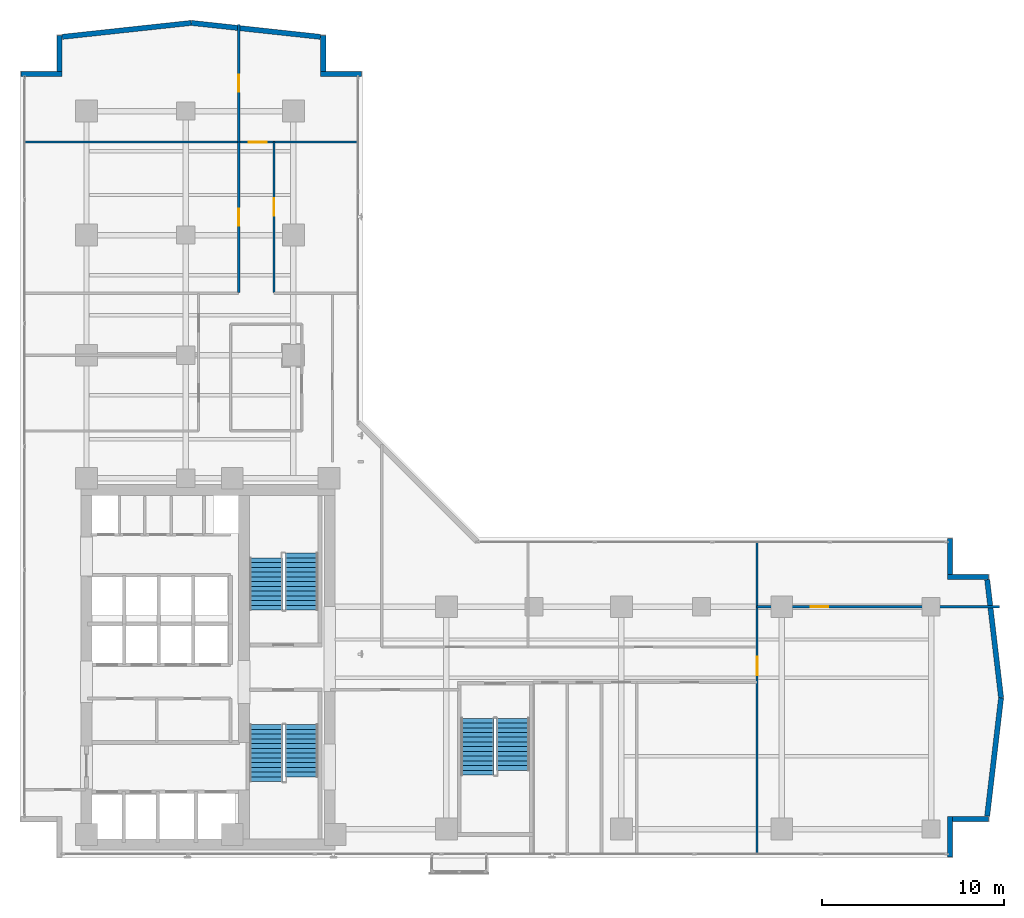
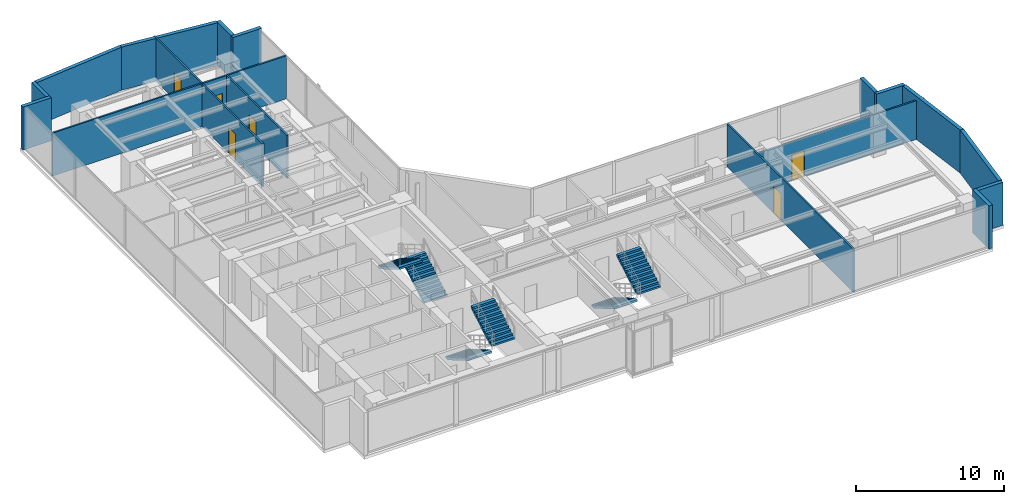
# One storey, part 21 of 24: 18 walls, 6 doors, 6 stair flights, 6 openings, 3 elements without a shape of their own.
"""IFC4 building model written with IfcOpenShell, lengths in metres."""

from ifc_helpers import new_model, si_unit, direction, frame, frame_2d, origin, place, context, subcontext, project, spatial, polyline, rectangle, outline, extrude, material, layer, layer_set, type_object, element, fill, aggregate, save


model = new_model("IFC4")

# Units and contexts
model_context = context("Model", 3, precision=1e-05, world=origin(), true_north=direction((0.0, 1.0)))
body_context = subcontext(model_context, "Body", "Model", "MODEL_VIEW")
ifc_project = project(units=[si_unit("LENGTHUNIT", "METRE"), si_unit("AREAUNIT", "SQUARE_METRE"), si_unit("VOLUMEUNIT", "CUBIC_METRE"), si_unit("PLANEANGLEUNIT", "RADIAN"), si_unit("MASSUNIT", "GRAM", prefix="KILO")], contexts=[model_context])

# Site, building, storey
site_placement = place(None, origin())
site = spatial("IfcSite", under=ifc_project, at=site_placement, CompositionType="ELEMENT")
building_placement = place(site_placement, origin())
building = spatial("IfcBuilding", under=site, at=building_placement, Name="Kolvaren Waterfront Exchange", CompositionType="ELEMENT")
storey_placement = place(building_placement, frame((0.0, 0.0, 169.0)))
storey = spatial("IfcBuildingStorey", under=building, at=storey_placement, Name="L43", CompositionType="ELEMENT", Elevation=169.0)

# Walls
ifc_material_1 = material(Name="Precast concrete C40/50", Category="concrete")
ifc_layer_1 = layer(ifc_material_1, 0.280029296875, Name="Precast concrete C40/50")
ifc_layer_set_1 = layer_set([ifc_layer_1], Name="Precast concrete C40/50")
wall_type_1 = type_object("IfcWallType", Name="ARC-EXT-TERR-280", PredefinedType="SOLIDWALL", material=ifc_layer_set_1)
wall_1_placement = place(storey_placement, frame((54.840087890625, 3.659912109375, 0.0), z_axis=(0.0, 0.0, 1.0), x_axis=(0.0, 1.0, 0.0)))
element("IfcWall", 1, at=wall_1_placement, inside=storey, type_object=wall_type_1, Name="L43 notched corner spandrel pier SE-A", PredefinedType="SOLIDWALL", context=body_context, shape_type="SweptSolid", body=[
    extrude(rectangle(XDim=2.239990234375, YDim=0.280029296875, at=frame_2d((1.1201171875, 0.0))), origin(), (0.0, 0.0, 1.0), 3.56005859375),
])
wall_2_placement = place(storey_placement, frame((54.97998046875, 5.760009765625, 0.0), z_axis=(0.0, 0.0, 1.0), x_axis=(1.0, 0.0, 0.0)))
element("IfcWall", 2, at=wall_2_placement, inside=storey, type_object=wall_type_1, Name="L43 notched corner spandrel pier SE-B", PredefinedType="SOLIDWALL", context=body_context, shape_type="SweptSolid", body=[
    extrude(rectangle(XDim=1.9599609375, YDim=0.280029296875, at=frame_2d((0.97998046875, 0.0))), origin(), (0.0, 0.0, 1.0), 3.56005859375),
])
wall_3_placement = place(storey_placement, frame((54.840087890625, 19.1650390625, 0.0), z_axis=(0.0, 0.0, 1.0), x_axis=(0.0, 1.0, 0.0)))
element("IfcWall", 3, at=wall_3_placement, inside=storey, type_object=wall_type_1, Name="L43 notched corner spandrel pier ENE-A", PredefinedType="SOLIDWALL", context=body_context, shape_type="SweptSolid", body=[
    extrude(rectangle(XDim=1.974853515625, YDim=0.280029296875, at=frame_2d((0.9873046875, 0.0))), origin(), (0.0, 0.0, 1.0), 3.56005859375),
])
for number, where, z_axis, x_axis, name in (
    (4, (54.699951171875, 19.0400390625, 0.0), (0.0, 0.0, 1.0), (1.0, 0.0, 0.0), "L43 notched corner spandrel pier ENE-B"),
    (5, (20.300048828125, 46.639892578125, 0.0), (0.0, 0.0, 1.0), (1.0, 0.0, 0.0), "L43 notched corner spandrel pier NNE-A"),
):
    element("IfcWall", number, at=place(storey_placement, frame(where, z_axis=z_axis, x_axis=x_axis)), inside=storey, type_object=wall_type_1, Name=name, PredefinedType="SOLIDWALL", context=body_context, shape_type="SweptSolid", body=[
        extrude(rectangle(XDim=2.239990234375, YDim=0.280029296875, at=frame_2d((1.1201171875, 0.0))), origin(), (0.0, 0.0, 1.0), 3.56005859375),
    ])
wall_4_placement = place(storey_placement, frame((20.43994140625, 46.780029296875, 0.0), z_axis=(0.0, 0.0, 1.0), x_axis=(0.0, 1.0, 0.0)))
element("IfcWall", 6, at=wall_4_placement, inside=storey, type_object=wall_type_1, Name="L43 notched corner spandrel pier NNE-B", PredefinedType="SOLIDWALL", context=body_context, shape_type="SweptSolid", body=[
    extrude(rectangle(XDim=1.9599609375, YDim=0.280029296875, at=frame_2d((0.97998046875, 0.0))), origin(), (0.0, 0.0, 1.0), 3.56005859375),
])
wall_5_placement = place(storey_placement, frame((3.860107421875, 46.639892578125, 0.0), z_axis=(0.0, 0.0, 1.0), x_axis=(1.0, 0.0, 0.0)))
element("IfcWall", 7, at=wall_5_placement, inside=storey, type_object=wall_type_1, Name="L43 notched corner spandrel pier NW-A", PredefinedType="SOLIDWALL", context=body_context, shape_type="SweptSolid", body=[
    extrude(rectangle(XDim=2.239990234375, YDim=0.280029296875, at=frame_2d((1.1201171875, 0.0))), origin(), (0.0, 0.0, 1.0), 3.56005859375),
])
wall_6_placement = place(storey_placement, frame((5.9599609375, 46.780029296875, 0.0), z_axis=(0.0, 0.0, 1.0), x_axis=(0.0, 1.0, 0.0)))
element("IfcWall", 8, at=wall_6_placement, inside=storey, type_object=wall_type_1, Name="L43 notched corner spandrel pier NW-B", PredefinedType="SOLIDWALL", context=body_context, shape_type="SweptSolid", body=[
    extrude(rectangle(XDim=1.9599609375, YDim=0.280029296875, at=frame_2d((0.97998046875, 0.0))), origin(), (0.0, 0.0, 1.0), 3.56005859375),
])
for number, where, z_axis, x_axis, name in (
    (9, (56.876220703125, 5.91650390625, 0.0), (0.0, 0.0, 1.0), (0.11685426921, 0.993149072278, 0.0), "L43 east prow faceted facade wall 1"),
    (10, (57.638916015625, 12.401123046875, 0.0), (0.0, 0.0, 1.0), (-0.11685426921, 0.993149072278, 0.0), "L43 east prow faceted facade wall 2"),
):
    element("IfcWall", number, at=place(storey_placement, frame(where, z_axis=z_axis, x_axis=x_axis)), inside=storey, type_object=wall_type_1, Name=name, PredefinedType="SOLIDWALL", context=body_context, shape_type="SweptSolid", body=[
        extrude(rectangle(XDim=6.52685546875, YDim=0.280029296875, at=frame_2d((3.263427734375, 0.0))), origin(), (0.0, 0.0, 1.0), 3.56005859375),
    ])
for number, where, z_axis, x_axis, name in (
    (11, (20.284423828125, 48.673095703125, 0.0), (0.0, 0.0, 1.0), (-0.994206651606, 0.107485505548, 0.0), "L43 north prow faceted facade wall 1"),
    (12, (13.197265625, 49.438720703125, 0.0), (0.0, 0.0, 1.0), (-0.994206651606, -0.107485505548, 0.0), "L43 north prow faceted facade wall 2"),
):
    element("IfcWall", number, at=place(storey_placement, frame(where, z_axis=z_axis, x_axis=x_axis)), inside=storey, type_object=wall_type_1, Name=name, PredefinedType="SOLIDWALL", context=body_context, shape_type="SweptSolid", body=[
        extrude(rectangle(XDim=7.123046875, YDim=0.280029296875, at=frame_2d((3.5615234375, 0.0))), origin(), (0.0, 0.0, 1.0), 3.56005859375),
    ])

# Wall, opening, door
ifc_material_2 = material(Name="Acoustic gypsum steel stud", Category="steel")
ifc_layer_2 = layer(ifc_material_2, 0.125, Name="Acoustic gypsum steel stud")
ifc_layer_set_2 = layer_set([ifc_layer_2], Name="Acoustic gypsum steel stud")
wall_type_2 = type_object("IfcWallType", Name="ARC-PART-125", PredefinedType="PARTITIONING", material=ifc_layer_set_2)
wall_7_placement = place(storey_placement, frame((44.25, 3.840087890625, 0.0), z_axis=(0.0, 0.0, 1.0), x_axis=(0.0, 1.0, 0.0)))
wall_7 = element("IfcWall", 13, at=wall_7_placement, inside=storey, type_object=wall_type_2, Name="L43 interior wall PW-L43-ETIP-W", PredefinedType="PARTITIONING", context=body_context, shape_type="SweptSolid", body=[
    extrude(rectangle(XDim=17.119873046875, YDim=0.125, at=frame_2d((8.56005859375, 0.0))), origin(), (0.0, 0.0, 1.0), 3.56005859375),
])
opening_1_placement = place(wall_7_placement, frame((9.81005859375, 0.0, 0.0)))
opening_1 = element("IfcOpeningElement", 14, at=opening_1_placement, cuts=wall_7, Name="Opening D03", PredefinedType="OPENING", context=body_context, shape_type="SweptSolid", body=[
    extrude(rectangle(XDim=1.0, YDim=2.199951171875, at=frame_2d((0.5, 1.10009765625))), frame((0.0, 0.072509765625, 0.0), z_axis=(0.0, -1.0, 0.0), x_axis=(1.0, 0.0, 0.0)), (0.0, 0.0, 1.0), 0.14501953125),
])
ifc_material_3 = material(Name="Oak veneer accessible timber", Category="wood")
door_type_1 = type_object("IfcDoorType", Name="ARC-DR-1000", OperationType="NOTDEFINED", PredefinedType="DOOR", material=ifc_material_3)
door_1_placement = place(opening_1_placement, origin())
door_1 = element("IfcDoor", 15, at=door_1_placement, inside=storey, type_object=door_type_1, Name="L43 door DR-L43-ETIP1-D (D03)", OperationType="SINGLE_SWING_LEFT", OverallHeight=2.199951171875, OverallWidth=1.0, PredefinedType="DOOR", context=body_context, shape_type="SweptSolid", body=[
    extrude(rectangle(XDim=1.0, YDim=2.199951171875, at=frame_2d((0.5, 1.10009765625))), frame((0.0, 0.02490234375, 0.0), z_axis=(0.0, -1.0, 0.0), x_axis=(1.0, 0.0, 0.0)), (0.0, 0.0, 1.0), 0.050048828125),
])
fill(opening_1, door_1)

wall_8_placement = place(storey_placement, frame((44.25, 17.39990234375, 0.0), z_axis=(0.0, 0.0, 1.0), x_axis=(1.0, 0.0, 0.0)))
wall_8 = element("IfcWall", 16, at=wall_8_placement, inside=storey, type_object=wall_type_2, Name="L43 interior wall PW-L43-ETIP-MID", PredefinedType="PARTITIONING", context=body_context, shape_type="SweptSolid", body=[
    extrude(rectangle(XDim=13.31005859375, YDim=0.125, at=frame_2d((6.655029296875, 0.0))), origin(), (0.0, 0.0, 1.0), 3.199951171875),
])
opening_2_placement = place(wall_8_placement, frame((2.949951171875, 0.0, 0.0)))
opening_2 = element("IfcOpeningElement", 17, at=opening_2_placement, cuts=wall_8, Name="Opening D02", PredefinedType="OPENING", context=body_context, shape_type="SweptSolid", body=[
    extrude(rectangle(XDim=0.949951171875, YDim=2.14990234375, at=frame_2d((0.47509765625, 1.074951171875))), frame((0.0, 0.072509765625, 0.0), z_axis=(0.0, -1.0, 0.0), x_axis=(1.0, 0.0, 0.0)), (0.0, 0.0, 1.0), 0.14501953125),
])
ifc_material_4 = material(Name="Oak veneer acoustic timber", Category="wood")
door_type_2 = type_object("IfcDoorType", Name="ARC-DR-950", OperationType="NOTDEFINED", PredefinedType="DOOR", material=ifc_material_4)
door_2_placement = place(opening_2_placement, origin())
door_2 = element("IfcDoor", 18, at=door_2_placement, inside=storey, type_object=door_type_2, Name="L43 door DR-L43-ETIP2-D (D02)", OperationType="SINGLE_SWING_RIGHT", OverallHeight=2.14990234375, OverallWidth=0.949951171875, PredefinedType="DOOR", context=body_context, shape_type="SweptSolid", body=[
    extrude(rectangle(XDim=0.949951171875, YDim=2.14990234375, at=frame_2d((0.47509765625, 1.074951171875))), frame((0.0, 0.02490234375, 0.0), z_axis=(0.0, -1.0, 0.0), x_axis=(1.0, 0.0, 0.0)), (0.0, 0.0, 1.0), 0.050048828125),
])
fill(opening_2, door_2)

wall_9_placement = place(storey_placement, frame((15.800048828125, 34.64990234375, 0.0), z_axis=(0.0, 0.0, 1.0), x_axis=(0.0, 1.0, 0.0)))
wall_9 = element("IfcWall", 19, at=wall_9_placement, inside=storey, type_object=wall_type_2, Name="L43 interior wall PW-L43-NW-CORR", PredefinedType="PARTITIONING", context=body_context, shape_type="SweptSolid", body=[
    extrude(rectangle(XDim=8.25, YDim=0.125, at=frame_2d((4.125, 0.0))), origin(), (0.0, 0.0, 1.0), 3.56005859375),
])
opening_3_placement = place(wall_9_placement, frame((3.64990234375, 0.0, 0.0)))
opening_3 = element("IfcOpeningElement", 20, at=opening_3_placement, cuts=wall_9, Name="Opening D02", PredefinedType="OPENING", context=body_context, shape_type="SweptSolid", body=[
    extrude(rectangle(XDim=0.949951171875, YDim=2.14990234375, at=frame_2d((0.47509765625, 1.074951171875))), frame((0.0, 0.072509765625, 0.0), z_axis=(0.0, -1.0, 0.0), x_axis=(1.0, 0.0, 0.0)), (0.0, 0.0, 1.0), 0.14501953125),
])
door_3_placement = place(opening_3_placement, origin())
door_3 = element("IfcDoor", 21, at=door_3_placement, inside=storey, type_object=door_type_2, Name="L43 door DR-L43-NW-D-1 (D02)", OperationType="SINGLE_SWING_LEFT", OverallHeight=2.14990234375, OverallWidth=0.949951171875, PredefinedType="DOOR", context=body_context, shape_type="SweptSolid", body=[
    extrude(rectangle(XDim=0.949951171875, YDim=2.14990234375, at=frame_2d((0.47509765625, 1.074951171875))), frame((0.0, 0.02490234375, 0.0), z_axis=(0.0, -1.0, 0.0), x_axis=(1.0, 0.0, 0.0)), (0.0, 0.0, 1.0), 0.050048828125),
])
fill(opening_3, door_3)

wall_10_placement = place(storey_placement, frame((4.0400390625, 42.89990234375, 0.0), z_axis=(0.0, 0.0, 1.0), x_axis=(1.0, 0.0, 0.0)))
wall_10 = element("IfcWall", 22, at=wall_10_placement, inside=storey, type_object=wall_type_2, Name="L43 interior wall PW-L43-NTIP-S", PredefinedType="PARTITIONING", context=body_context, shape_type="SweptSolid", body=[
    extrude(rectangle(XDim=18.320068359375, YDim=0.125, at=frame_2d((9.16015625, 0.0))), origin(), (0.0, 0.0, 1.0), 3.56005859375),
])
opening_4_placement = place(wall_10_placement, frame((12.300048828125, 0.0, 0.0)))
opening_4 = element("IfcOpeningElement", 23, at=opening_4_placement, cuts=wall_10, Name="Opening D03", PredefinedType="OPENING", context=body_context, shape_type="SweptSolid", body=[
    extrude(rectangle(XDim=1.0, YDim=2.199951171875, at=frame_2d((0.5, 1.10009765625))), frame((0.0, 0.072509765625, 0.0), z_axis=(0.0, -1.0, 0.0), x_axis=(1.0, 0.0, 0.0)), (0.0, 0.0, 1.0), 0.14501953125),
])
door_4_placement = place(opening_4_placement, origin())
door_4 = element("IfcDoor", 24, at=door_4_placement, inside=storey, type_object=door_type_1, Name="L43 door DR-L43-NTIPE-D (D03)", OperationType="SINGLE_SWING_RIGHT", OverallHeight=2.199951171875, OverallWidth=1.0, PredefinedType="DOOR", context=body_context, shape_type="SweptSolid", body=[
    extrude(rectangle(XDim=1.0, YDim=2.199951171875, at=frame_2d((0.5, 1.10009765625))), frame((0.0, 0.02490234375, 0.0), z_axis=(0.0, -1.0, 0.0), x_axis=(1.0, 0.0, 0.0)), (0.0, 0.0, 1.0), 0.050048828125),
])
fill(opening_4, door_4)

wall_11_placement = place(storey_placement, frame((15.800048828125, 42.89990234375, 0.0), z_axis=(0.0, 0.0, 1.0), x_axis=(0.0, 1.0, 0.0)))
wall_11 = element("IfcWall", 25, at=wall_11_placement, inside=storey, type_object=wall_type_2, Name="L43 interior wall PW-L43-NTIP-DIV", PredefinedType="PARTITIONING", context=body_context, shape_type="SweptSolid", body=[
    extrude(rectangle(XDim=6.460205078125, YDim=0.125, at=frame_2d((3.22998046875, 0.0))), origin(), (0.0, 0.0, 1.0), 3.56005859375),
])
opening_5_placement = place(wall_11_placement, frame((2.75, 0.0, 0.0)))
opening_5 = element("IfcOpeningElement", 26, at=opening_5_placement, cuts=wall_11, Name="Opening D02", PredefinedType="OPENING", context=body_context, shape_type="SweptSolid", body=[
    extrude(rectangle(XDim=0.949951171875, YDim=2.14990234375, at=frame_2d((0.47509765625, 1.074951171875))), frame((0.0, 0.072509765625, 0.0), z_axis=(0.0, -1.0, 0.0), x_axis=(1.0, 0.0, 0.0)), (0.0, 0.0, 1.0), 0.14501953125),
])
door_5_placement = place(opening_5_placement, origin())
door_5 = element("IfcDoor", 27, at=door_5_placement, inside=storey, type_object=door_type_2, Name="L43 door DR-L43-NTIPW-D (D02)", OperationType="SINGLE_SWING_LEFT", OverallHeight=2.14990234375, OverallWidth=0.949951171875, PredefinedType="DOOR", context=body_context, shape_type="SweptSolid", body=[
    extrude(rectangle(XDim=0.949951171875, YDim=2.14990234375, at=frame_2d((0.47509765625, 1.074951171875))), frame((0.0, 0.02490234375, 0.0), z_axis=(0.0, -1.0, 0.0), x_axis=(1.0, 0.0, 0.0)), (0.0, 0.0, 1.0), 0.050048828125),
])
fill(opening_5, door_5)

wall_12_placement = place(storey_placement, frame((17.739990234375, 34.64990234375, 0.0), z_axis=(0.0, 0.0, 1.0), x_axis=(0.0, 1.0, 0.0)))
wall_12 = element("IfcWall", 28, at=wall_12_placement, inside=storey, type_object=wall_type_2, Name="L43 interior wall PW-L43-NE-CORR", PredefinedType="PARTITIONING", context=body_context, shape_type="SweptSolid", body=[
    extrude(rectangle(XDim=8.25, YDim=0.125, at=frame_2d((4.125, 0.0))), origin(), (0.0, 0.0, 1.0), 3.56005859375),
])
opening_6_placement = place(wall_12_placement, frame((4.215087890625, 0.0, 0.0)))
opening_6 = element("IfcOpeningElement", 29, at=opening_6_placement, cuts=wall_12, Name="Opening D02", PredefinedType="OPENING", context=body_context, shape_type="SweptSolid", body=[
    extrude(rectangle(XDim=0.949951171875, YDim=2.14990234375, at=frame_2d((0.47509765625, 1.074951171875))), frame((0.0, 0.072509765625, 0.0), z_axis=(0.0, -1.0, 0.0), x_axis=(1.0, 0.0, 0.0)), (0.0, 0.0, 1.0), 0.14501953125),
])
door_6_placement = place(opening_6_placement, origin())
door_6 = element("IfcDoor", 30, at=door_6_placement, inside=storey, type_object=door_type_2, Name="L43 door DR-L43-NE-D-1 (D02)", OperationType="SINGLE_SWING_RIGHT", OverallHeight=2.14990234375, OverallWidth=0.949951171875, PredefinedType="DOOR", context=body_context, shape_type="SweptSolid", body=[
    extrude(rectangle(XDim=0.949951171875, YDim=2.14990234375, at=frame_2d((0.47509765625, 1.074951171875))), frame((0.0, 0.02490234375, 0.0), z_axis=(0.0, -1.0, 0.0), x_axis=(1.0, 0.0, 0.0)), (0.0, 0.0, 1.0), 0.050048828125),
])
fill(opening_6, door_6)

# Stair, stair flights
ifc_material_5 = material(Name="Concrete C40/50", Category="concrete")
stair_type = type_object("IfcStairType", Name="ARC-STAIR-3800", PredefinedType="HALF_TURN_STAIR", material=ifc_material_5)
stair_1_placement = place(storey_placement, origin())
stair_1 = element("IfcStair", 31, at=stair_1_placement, inside=storey, type_object=stair_type, Name="L43 Smoke-proof exit stair ST1", PredefinedType="HALF_TURN_STAIR")
stair_flight_type = type_object("IfcStairFlightType", Name="ARC-FLIGHT-3800", PredefinedType="STRAIGHT", material=ifc_material_5)
stair_flight_1_placement = place(storey_placement, frame((17.300048828125, 10.929931640625, 0.0), z_axis=(0.0, 0.0, 1.0), x_axis=(0.0, -1.0, 0.0)))
stair_flight_1 = element("IfcStairFlight", 32, at=stair_flight_1_placement, type_object=stair_flight_type, Name="ST1 flight 1", NumberOfRisers=13, NumberOfTreads=12, PredefinedType="STRAIGHT", RiserHeight=0.152, TreadLength=0.26, context=body_context, shape_type="SweptSolid", body=[
    extrude(outline(polyline([(0.0, 0.0), (0.0, 0.152099609375), (0.260009765625, 0.152099609375), (0.260009765625, 0.303955078125), (0.52001953125, 0.303955078125), (0.52001953125, 0.4560546875), (0.780029296875, 0.4560546875), (0.780029296875, 0.60791015625), (1.0400390625, 0.60791015625), (1.0400390625, 0.760009765625), (1.300048828125, 0.760009765625), (1.300048828125, 0.912109375), (1.56005859375, 0.912109375), (1.56005859375, 1.06396484375), (1.820068359375, 1.06396484375), (1.820068359375, 1.216064453125), (2.080078125, 1.216064453125), (2.080078125, 1.367919921875), (2.340087890625, 1.367919921875), (2.340087890625, 1.52001953125), (2.60009765625, 1.52001953125), (2.60009765625, 1.672119140625), (2.860107421875, 1.672119140625), (2.860107421875, 1.823974609375), (3.1201171875, 1.823974609375), (3.1201171875, 1.97607421875), (3.1201171875, 1.650390625), (0.297119140625, 0.0), (0.0, 0.0)])), frame((0.0, 0.89990234375, 0.0), z_axis=(0.0, -1.0, 0.0), x_axis=(1.0, 0.0, 0.0)), (0.0, 0.0, 1.0), 1.800048828125),
])
stair_flight_2_placement = place(storey_placement, frame((19.260009765625, 8.070068359375, 1.97607421875), z_axis=(0.0, 0.0, 1.0), x_axis=(0.0, 1.0, 0.0)))
stair_flight_2 = element("IfcStairFlight", 33, at=stair_flight_2_placement, type_object=stair_flight_type, Name="ST1 flight 2", NumberOfRisers=12, NumberOfTreads=11, PredefinedType="STRAIGHT", RiserHeight=0.152, TreadLength=0.26, context=body_context, shape_type="SweptSolid", body=[
    extrude(outline(polyline([(0.0, 0.0), (0.0, 0.152099609375), (0.260009765625, 0.152099609375), (0.260009765625, 0.303955078125), (0.52001953125, 0.303955078125), (0.52001953125, 0.4560546875), (0.780029296875, 0.4560546875), (0.780029296875, 0.60791015625), (1.0400390625, 0.60791015625), (1.0400390625, 0.760009765625), (1.300048828125, 0.760009765625), (1.300048828125, 0.912109375), (1.56005859375, 0.912109375), (1.56005859375, 1.06396484375), (1.820068359375, 1.06396484375), (1.820068359375, 1.216064453125), (2.080078125, 1.216064453125), (2.080078125, 1.367919921875), (2.340087890625, 1.367919921875), (2.340087890625, 1.52001953125), (2.60009765625, 1.52001953125), (2.60009765625, 1.672119140625), (2.860107421875, 1.672119140625), (2.860107421875, 1.823974609375), (2.860107421875, 1.498291015625), (0.297119140625, 0.0), (0.0, 0.0)])), frame((0.0, 0.89990234375, 0.0), z_axis=(0.0, -1.0, 0.0), x_axis=(1.0, 0.0, 0.0)), (0.0, 0.0, 1.0), 1.800048828125),
])
aggregate(stair_1, [stair_flight_1, stair_flight_2])

stair_2_placement = place(storey_placement, origin())
stair_2 = element("IfcStair", 34, at=stair_2_placement, inside=storey, type_object=stair_type, Name="L43 Smoke-proof exit stair ST2", PredefinedType="HALF_TURN_STAIR")
stair_flight_3_placement = place(storey_placement, frame((19.260009765625, 17.219970703125, 0.0), z_axis=(0.0, 0.0, 1.0), x_axis=(0.0, 1.0, 0.0)))
stair_flight_3 = element("IfcStairFlight", 35, at=stair_flight_3_placement, type_object=stair_flight_type, Name="ST2 flight 1", NumberOfRisers=13, NumberOfTreads=12, PredefinedType="STRAIGHT", RiserHeight=0.152, TreadLength=0.26, context=body_context, shape_type="SweptSolid", body=[
    extrude(outline(polyline([(0.0, 0.0), (0.0, 0.152099609375), (0.260009765625, 0.152099609375), (0.260009765625, 0.303955078125), (0.52001953125, 0.303955078125), (0.52001953125, 0.4560546875), (0.780029296875, 0.4560546875), (0.780029296875, 0.60791015625), (1.0400390625, 0.60791015625), (1.0400390625, 0.760009765625), (1.300048828125, 0.760009765625), (1.300048828125, 0.912109375), (1.56005859375, 0.912109375), (1.56005859375, 1.06396484375), (1.820068359375, 1.06396484375), (1.820068359375, 1.216064453125), (2.080078125, 1.216064453125), (2.080078125, 1.367919921875), (2.340087890625, 1.367919921875), (2.340087890625, 1.52001953125), (2.60009765625, 1.52001953125), (2.60009765625, 1.672119140625), (2.860107421875, 1.672119140625), (2.860107421875, 1.823974609375), (3.1201171875, 1.823974609375), (3.1201171875, 1.97607421875), (3.1201171875, 1.650390625), (0.297119140625, 0.0), (0.0, 0.0)])), frame((0.0, 0.89990234375, 0.0), z_axis=(0.0, -1.0, 0.0), x_axis=(1.0, 0.0, 0.0)), (0.0, 0.0, 1.0), 1.800048828125),
])
stair_flight_4_placement = place(storey_placement, frame((17.300048828125, 20.080078125, 1.97607421875), z_axis=(0.0, 0.0, 1.0), x_axis=(0.0, -1.0, 0.0)))
stair_flight_4 = element("IfcStairFlight", 36, at=stair_flight_4_placement, type_object=stair_flight_type, Name="ST2 flight 2", NumberOfRisers=12, NumberOfTreads=11, PredefinedType="STRAIGHT", RiserHeight=0.152, TreadLength=0.26, context=body_context, shape_type="SweptSolid", body=[
    extrude(outline(polyline([(0.0, 0.0), (0.0, 0.152099609375), (0.260009765625, 0.152099609375), (0.260009765625, 0.303955078125), (0.52001953125, 0.303955078125), (0.52001953125, 0.4560546875), (0.780029296875, 0.4560546875), (0.780029296875, 0.60791015625), (1.0400390625, 0.60791015625), (1.0400390625, 0.760009765625), (1.300048828125, 0.760009765625), (1.300048828125, 0.912109375), (1.56005859375, 0.912109375), (1.56005859375, 1.06396484375), (1.820068359375, 1.06396484375), (1.820068359375, 1.216064453125), (2.080078125, 1.216064453125), (2.080078125, 1.367919921875), (2.340087890625, 1.367919921875), (2.340087890625, 1.52001953125), (2.60009765625, 1.52001953125), (2.60009765625, 1.672119140625), (2.860107421875, 1.672119140625), (2.860107421875, 1.823974609375), (2.860107421875, 1.498291015625), (0.297119140625, 0.0), (0.0, 0.0)])), frame((0.0, 0.89990234375, 0.0), z_axis=(0.0, -1.0, 0.0), x_axis=(1.0, 0.0, 0.0)), (0.0, 0.0, 1.0), 1.800048828125),
])
aggregate(stair_2, [stair_flight_3, stair_flight_4])

stair_3_placement = place(storey_placement, origin())
stair_3 = element("IfcStair", 37, at=stair_3_placement, inside=storey, type_object=stair_type, Name="L43 Exit stair ST3", PredefinedType="HALF_TURN_STAIR")
stair_flight_5_placement = place(storey_placement, frame((28.89990234375, 11.280029296875, 0.0), z_axis=(0.0, 0.0, 1.0), x_axis=(0.0, -1.0, 0.0)))
stair_flight_5 = element("IfcStairFlight", 38, at=stair_flight_5_placement, type_object=stair_flight_type, Name="ST3 flight 1", NumberOfRisers=13, NumberOfTreads=12, PredefinedType="STRAIGHT", RiserHeight=0.152, TreadLength=0.26, context=body_context, shape_type="SweptSolid", body=[
    extrude(outline(polyline([(0.0, 0.0), (0.0, 0.152099609375), (0.260009765625, 0.152099609375), (0.260009765625, 0.303955078125), (0.52001953125, 0.303955078125), (0.52001953125, 0.4560546875), (0.780029296875, 0.4560546875), (0.780029296875, 0.60791015625), (1.0400390625, 0.60791015625), (1.0400390625, 0.760009765625), (1.300048828125, 0.760009765625), (1.300048828125, 0.912109375), (1.56005859375, 0.912109375), (1.56005859375, 1.06396484375), (1.820068359375, 1.06396484375), (1.820068359375, 1.216064453125), (2.080078125, 1.216064453125), (2.080078125, 1.367919921875), (2.340087890625, 1.367919921875), (2.340087890625, 1.52001953125), (2.60009765625, 1.52001953125), (2.60009765625, 1.672119140625), (2.860107421875, 1.672119140625), (2.860107421875, 1.823974609375), (3.1201171875, 1.823974609375), (3.1201171875, 1.97607421875), (3.1201171875, 1.650390625), (0.297119140625, 0.0), (0.0, 0.0)])), frame((0.0, 0.89990234375, 0.0), z_axis=(0.0, -1.0, 0.0), x_axis=(1.0, 0.0, 0.0)), (0.0, 0.0, 1.0), 1.800048828125),
])
stair_flight_6_placement = place(storey_placement, frame((30.860107421875, 8.419921875, 1.97607421875), z_axis=(0.0, 0.0, 1.0), x_axis=(0.0, 1.0, 0.0)))
stair_flight_6 = element("IfcStairFlight", 39, at=stair_flight_6_placement, type_object=stair_flight_type, Name="ST3 flight 2", NumberOfRisers=12, NumberOfTreads=11, PredefinedType="STRAIGHT", RiserHeight=0.152, TreadLength=0.26, context=body_context, shape_type="SweptSolid", body=[
    extrude(outline(polyline([(0.0, 0.0), (0.0, 0.152099609375), (0.260009765625, 0.152099609375), (0.260009765625, 0.303955078125), (0.52001953125, 0.303955078125), (0.52001953125, 0.4560546875), (0.780029296875, 0.4560546875), (0.780029296875, 0.60791015625), (1.0400390625, 0.60791015625), (1.0400390625, 0.760009765625), (1.300048828125, 0.760009765625), (1.300048828125, 0.912109375), (1.56005859375, 0.912109375), (1.56005859375, 1.06396484375), (1.820068359375, 1.06396484375), (1.820068359375, 1.216064453125), (2.080078125, 1.216064453125), (2.080078125, 1.367919921875), (2.340087890625, 1.367919921875), (2.340087890625, 1.52001953125), (2.60009765625, 1.52001953125), (2.60009765625, 1.672119140625), (2.860107421875, 1.672119140625), (2.860107421875, 1.823974609375), (2.860107421875, 1.498291015625), (0.297119140625, 0.0), (0.0, 0.0)])), frame((0.0, 0.89990234375, 0.0), z_axis=(0.0, -1.0, 0.0), x_axis=(1.0, 0.0, 0.0)), (0.0, 0.0, 1.0), 1.800048828125),
])
aggregate(stair_3, [stair_flight_5, stair_flight_6])

save(model, "model.ifc")
